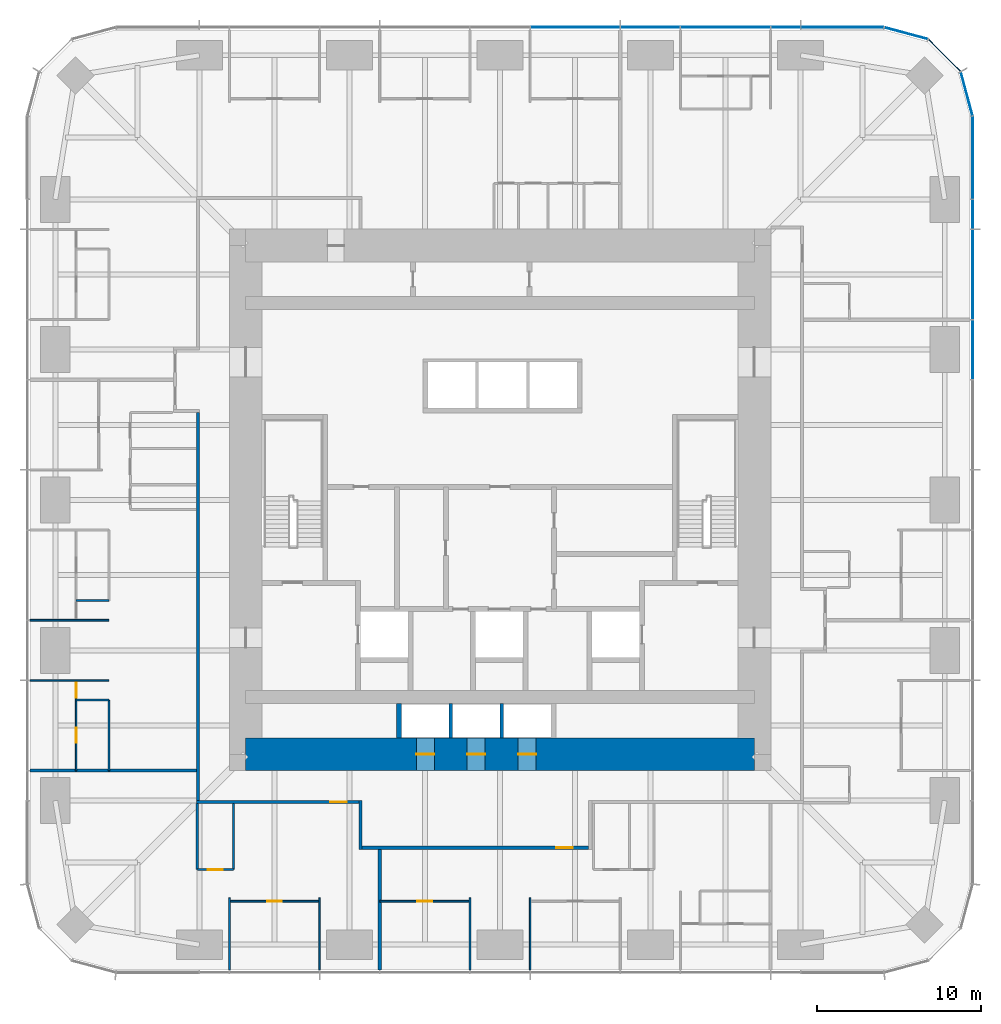
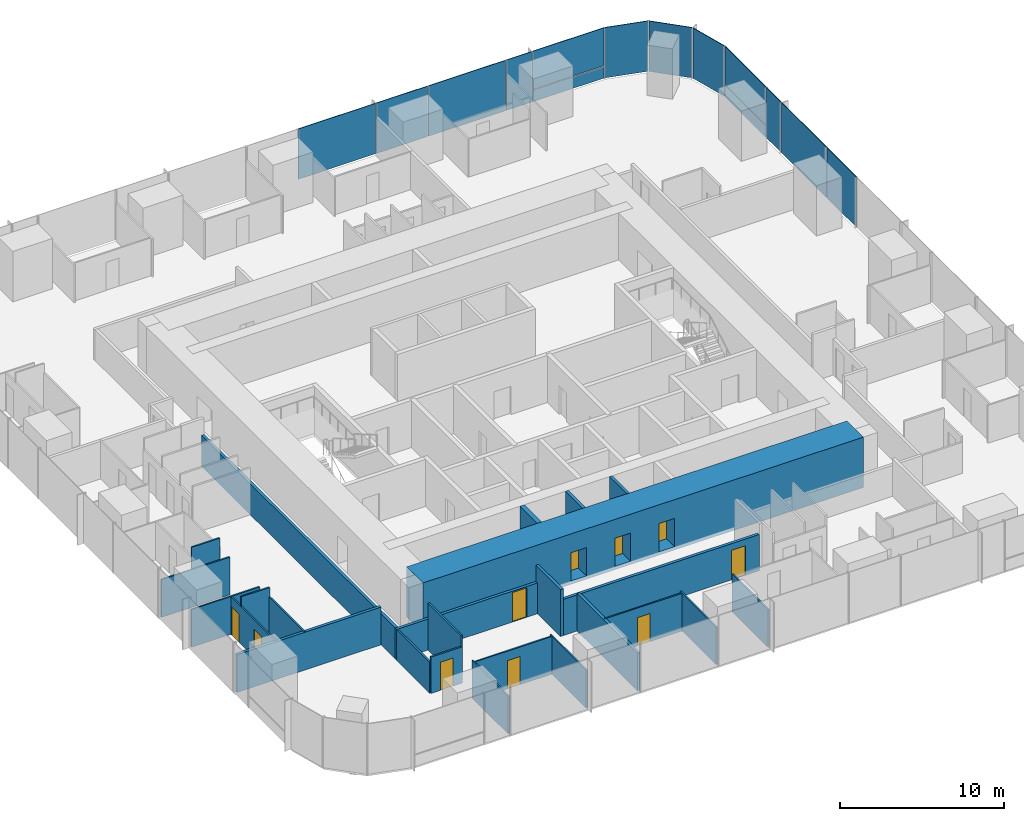
# One storey, part 8 of 13: 25 walls, 14 plates, 10 doors, 10 openings, 3 elements without a shape of their own.
"""IFC4 building model written with IfcOpenShell, lengths in metres."""

from ifc_helpers import new_model, si_unit, direction, frame, frame_2d, origin, origin_2d, place, context, subcontext, project, spatial, rectangle, extrude, material, layer, layer_set, type_object, element, fill, aggregate, save


model = new_model("IFC4")

# Units and contexts
model_context = context("Model", 3, precision=1e-05, world=origin(), true_north=direction((0.0, 1.0)))
body_context = subcontext(model_context, "Body", "Model", "MODEL_VIEW")
ifc_project = project(units=[si_unit("LENGTHUNIT", "METRE"), si_unit("AREAUNIT", "SQUARE_METRE"), si_unit("VOLUMEUNIT", "CUBIC_METRE"), si_unit("PLANEANGLEUNIT", "RADIAN"), si_unit("MASSUNIT", "GRAM", prefix="KILO")], contexts=[model_context])

# Site, building, storey
site_placement = place(None, origin())
site = spatial("IfcSite", under=ifc_project, at=site_placement, CompositionType="ELEMENT")
building_placement = place(site_placement, origin())
building = spatial("IfcBuilding", under=site, at=building_placement, Name="Khuree Lantern Residences", CompositionType="ELEMENT")
storey_placement = place(building_placement, frame((0.0, 0.0, 144.75)))
storey = spatial("IfcBuildingStorey", under=building, at=storey_placement, Name="L36", CompositionType="ELEMENT", Elevation=144.75)

# Curtain wall, plates
ifc_material_1 = material(Name="Bronze anodised aluminium", Category="aluminium")
curtain_wall_type_1 = type_object("IfcCurtainWallType", Name="CW-T2 TOWER CORNER CURTAIN WALL", PredefinedType="USERDEFINED", material=ifc_material_1)
curtain_wall_1_placement = place(storey_placement, origin())
curtain_wall_1 = element("IfcCurtainWall", 1, at=curtain_wall_1_placement, inside=storey, type_object=curtain_wall_type_1, Name="L36 NORTH-EAST CORNER CURTAIN WALL", ObjectType="Faceted corner curtain wall", PredefinedType="USERDEFINED")
ifc_material_2 = material(Name="Bronze tinted triple glazing", Category="glass")
ifc_layer_1 = layer(ifc_material_2, 0.048095703125)
ifc_layer_set_1 = layer_set([ifc_layer_1], Name="FACET PANEL P4")
plate_type_1 = type_object("IfcPlateType", Name="FACET PANEL P4", PredefinedType="CURTAIN_PANEL", material=ifc_layer_set_1)
plate_1_placement = place(storey_placement, frame((28.438720703125, 24.748046875, 0.0), z_axis=(0.0, 0.0, 1.0), x_axis=(-0.258819105321, 0.965925810153, 0.0)))
plate_1 = element("IfcPlate", 2, at=plate_1_placement, type_object=plate_type_1, Name="L36 NORTH-EAST CORNER PANEL 15.1", PredefinedType="CURTAIN_PANEL", context=body_context, shape_type="SweptSolid", body=[
    extrude(rectangle(XDim=2.71923828125, YDim=0.048095703125, at=origin_2d()), origin(), (0.0, 0.0, 1.0), 3.75),
])
plate_2_placement = place(storey_placement, frame((27.08837890625, 27.08837890625, 0.0), z_axis=(0.0, 0.0, 1.0), x_axis=(-0.707106781187, 0.707106781187, 0.0)))
plate_2 = element("IfcPlate", 3, at=plate_2_placement, type_object=plate_type_1, Name="L36 NORTH-EAST CORNER PANEL 16.1", PredefinedType="CURTAIN_PANEL", context=body_context, shape_type="SweptSolid", body=[
    extrude(rectangle(XDim=2.715087890625, YDim=0.048095703125, at=origin_2d()), origin(), (0.0, 0.0, 1.0), 3.75),
])
plate_3_placement = place(storey_placement, frame((24.748046875, 28.438720703125, 0.0), z_axis=(0.0, 0.0, 1.0), x_axis=(-0.965925810153, 0.258819105321, 0.0)))
plate_3 = element("IfcPlate", 4, at=plate_3_placement, type_object=plate_type_1, Name="L36 NORTH-EAST CORNER PANEL 17.1", PredefinedType="CURTAIN_PANEL", context=body_context, shape_type="SweptSolid", body=[
    extrude(rectangle(XDim=2.71923828125, YDim=0.048095703125, at=origin_2d()), origin(), (0.0, 0.0, 1.0), 3.75),
])
aggregate(curtain_wall_1, [plate_1, plate_2, plate_3])

# Curtain wall, plate
curtain_wall_type_2 = type_object("IfcCurtainWallType", Name="CW-T1 TOWER FACE CURTAIN WALL", PredefinedType="USERDEFINED", material=ifc_material_1)
curtain_wall_2_placement = place(storey_placement, origin())
curtain_wall_2 = element("IfcCurtainWall", 5, at=curtain_wall_2_placement, inside=storey, type_object=curtain_wall_type_2, Name="L36 EAST FACE CURTAIN WALL", ObjectType="Stick-built curtain wall", PredefinedType="USERDEFINED")
ifc_material_3 = material(Name="Bronze tinted triple glazing with a ceramic-fritted spandrel band", Category="glass")
ifc_layer_2 = layer(ifc_material_3, 0.048095703125)
ifc_layer_set_2 = layer_set([ifc_layer_2], Name="FIXED LIGHT PANEL P11")
plate_type_2 = type_object("IfcPlateType", Name="FIXED LIGHT PANEL P11", PredefinedType="CURTAIN_PANEL", material=ifc_layer_set_2)
plate_4_placement = place(storey_placement, frame((28.800048828125, 13.739990234375, 0.0), z_axis=(0.0, 0.0, 1.0), x_axis=(0.0, 1.0, 0.0)))
plate_4 = element("IfcPlate", 6, at=plate_4_placement, type_object=plate_type_2, Name="L36 EAST FACE PANEL 12.1", PredefinedType="CURTAIN_PANEL", context=body_context, shape_type="SweptSolid", body=[
    extrude(rectangle(XDim=5.430908203125, YDim=0.048095703125, at=origin_2d()), origin(), (0.0, 0.0, 1.0), 3.75),
])

# Curtain wall, plates
curtain_wall_3_placement = place(storey_placement, origin())
curtain_wall_3 = element("IfcCurtainWall", 7, at=curtain_wall_3_placement, inside=storey, type_object=curtain_wall_type_2, Name="L36 NORTH FACE CURTAIN WALL", ObjectType="Stick-built curtain wall", PredefinedType="USERDEFINED")
plate_5_placement = place(storey_placement, frame((13.739990234375, 28.800048828125, 0.0), z_axis=(0.0, 0.0, 1.0), x_axis=(-1.0, 0.0, 0.0)))
plate_5 = element("IfcPlate", 8, at=plate_5_placement, type_object=plate_type_2, Name="L36 NORTH FACE PANEL 20.1", PredefinedType="CURTAIN_PANEL", context=body_context, shape_type="SweptSolid", body=[
    extrude(rectangle(XDim=5.430908203125, YDim=0.048095703125, at=origin_2d()), origin(), (0.0, 0.0, 1.0), 3.75),
])
plate_6_placement = place(storey_placement, frame((4.580078125, 28.800048828125, 0.0), z_axis=(0.0, 0.0, 1.0), x_axis=(-1.0, 0.0, 0.0)))
plate_6 = element("IfcPlate", 9, at=plate_6_placement, type_object=plate_type_2, Name="L36 NORTH FACE PANEL 22.1", PredefinedType="CURTAIN_PANEL", context=body_context, shape_type="SweptSolid", body=[
    extrude(rectangle(XDim=5.430908203125, YDim=0.048095703125, at=origin_2d()), origin(), (0.0, 0.0, 1.0), 3.75),
])

# Plate
ifc_material_4 = material(Name="Bronze tinted triple glazing, two aluminium-framed sashes in one frame", Category="aluminium")
ifc_layer_3 = layer(ifc_material_4, 0.048095703125)
ifc_layer_set_3 = layer_set([ifc_layer_3], Name="SASH PAIR PANEL P12")
plate_type_3 = type_object("IfcPlateType", Name="SASH PAIR PANEL P12", PredefinedType="CURTAIN_PANEL", material=ifc_layer_set_3)
plate_7_placement = place(storey_placement, frame((28.800048828125, 9.159912109375, 0.0), z_axis=(0.0, 0.0, 1.0), x_axis=(0.0, 1.0, 0.0)))
plate_7 = element("IfcPlate", 10, at=plate_7_placement, type_object=plate_type_3, Name="L36 EAST FACE PANEL 11.1", PredefinedType="CURTAIN_PANEL", context=body_context, shape_type="SweptSolid", body=[
    extrude(rectangle(XDim=3.59912109375, YDim=0.048095703125, at=origin_2d()), origin(), (0.0, 0.0, 1.0), 3.75),
])

plate_8_placement = place(storey_placement, frame((9.159912109375, 28.800048828125, 0.0), z_axis=(0.0, 0.0, 1.0), x_axis=(-1.0, 0.0, 0.0)))
plate_8 = element("IfcPlate", 11, at=plate_8_placement, type_object=plate_type_3, Name="L36 NORTH FACE PANEL 21.1", PredefinedType="CURTAIN_PANEL", context=body_context, shape_type="SweptSolid", body=[
    extrude(rectangle(XDim=3.59912109375, YDim=0.048095703125, at=origin_2d()), origin(), (0.0, 0.0, 1.0), 3.75),
])

ifc_material_5 = material(Name="Bronze tinted triple glazing, aluminium-framed sash", Category="aluminium")
ifc_layer_4 = layer(ifc_material_5, 0.048095703125)
ifc_layer_set_4 = layer_set([ifc_layer_4], Name="SASH PANEL P3")
plate_type_4 = type_object("IfcPlateType", Name="SASH PANEL P3", PredefinedType="CURTAIN_PANEL", material=ifc_layer_set_4)
plate_9_placement = place(storey_placement, frame((28.800048828125, 17.404052734375, 0.0), z_axis=(0.0, 0.0, 1.0), x_axis=(0.0, 1.0, 0.0)))
plate_9 = element("IfcPlate", 12, at=plate_9_placement, type_object=plate_type_4, Name="L36 EAST FACE PANEL 13.1", PredefinedType="CURTAIN_PANEL", context=body_context, shape_type="SweptSolid", body=[
    extrude(rectangle(XDim=1.76708984375, YDim=0.048095703125, at=origin_2d()), origin(), (0.0, 0.0, 1.0), 3.75),
])

plate_10_placement = place(storey_placement, frame((17.404052734375, 28.800048828125, 0.0), z_axis=(0.0, 0.0, 1.0), x_axis=(-1.0, 0.0, 0.0)))
plate_10 = element("IfcPlate", 13, at=plate_10_placement, type_object=plate_type_4, Name="L36 NORTH FACE PANEL 19.1", PredefinedType="CURTAIN_PANEL", context=body_context, shape_type="SweptSolid", body=[
    extrude(rectangle(XDim=1.76708984375, YDim=0.048095703125, at=origin_2d()), origin(), (0.0, 0.0, 1.0), 3.75),
])

ifc_material_6 = material(Name="Bronze anodised aluminium insulated spandrel", Category="aluminium")
ifc_layer_5 = layer(ifc_material_6, 0.06005859375)
ifc_layer_set_5 = layer_set([ifc_layer_5], Name="SPANDREL PANEL P2")
plate_type_5 = type_object("IfcPlateType", Name="SPANDREL PANEL P2", PredefinedType="CURTAIN_PANEL", material=ifc_layer_set_5)
plate_11_placement = place(storey_placement, frame((28.800048828125, 20.85791015625, 0.0), z_axis=(0.0, 0.0, 1.0), x_axis=(0.0, 1.0, 0.0)))
plate_11 = element("IfcPlate", 14, at=plate_11_placement, type_object=plate_type_5, Name="L36 EAST FACE PANEL 14.1", PredefinedType="CURTAIN_PANEL", context=body_context, shape_type="SweptSolid", body=[
    extrude(rectangle(XDim=5.0107421875, YDim=0.06005859375, at=origin_2d()), origin(), (0.0, 0.0, 1.0), 0.867431640625),
])

plate_12_placement = place(storey_placement, frame((20.85791015625, 28.800048828125, 0.0), z_axis=(0.0, 0.0, 1.0), x_axis=(-1.0, 0.0, 0.0)))
plate_12 = element("IfcPlate", 15, at=plate_12_placement, type_object=plate_type_5, Name="L36 NORTH FACE PANEL 18.1", PredefinedType="CURTAIN_PANEL", context=body_context, shape_type="SweptSolid", body=[
    extrude(rectangle(XDim=5.0107421875, YDim=0.06005859375, at=origin_2d()), origin(), (0.0, 0.0, 1.0), 0.867431640625),
])

ifc_layer_6 = layer(ifc_material_2, 0.048095703125)
ifc_layer_set_6 = layer_set([ifc_layer_6], Name="VISION PANEL P1")
plate_type_6 = type_object("IfcPlateType", Name="VISION PANEL P1", PredefinedType="CURTAIN_PANEL", material=ifc_layer_set_6)
plate_13_placement = place(storey_placement, frame((28.800048828125, 20.8583984375, 0.9326171875), z_axis=(0.0, 0.0, 1.0), x_axis=(0.0, 1.0, 0.0)))
plate_13 = element("IfcPlate", 16, at=plate_13_placement, type_object=plate_type_6, Name="L36 EAST FACE PANEL 14.2", PredefinedType="CURTAIN_PANEL", context=body_context, shape_type="SweptSolid", body=[
    extrude(rectangle(XDim=5.011474609375, YDim=0.048095703125, at=origin_2d()), origin(), (0.0, 0.0, 1.0), 2.8173828125),
])

aggregate(curtain_wall_2, [plate_7, plate_4, plate_9, plate_11, plate_13])

plate_14_placement = place(storey_placement, frame((20.8583984375, 28.800048828125, 0.9326171875), z_axis=(0.0, 0.0, 1.0), x_axis=(-1.0, 0.0, 0.0)))
plate_14 = element("IfcPlate", 17, at=plate_14_placement, type_object=plate_type_6, Name="L36 NORTH FACE PANEL 18.2", PredefinedType="CURTAIN_PANEL", context=body_context, shape_type="SweptSolid", body=[
    extrude(rectangle(XDim=5.011474609375, YDim=0.048095703125, at=origin_2d()), origin(), (0.0, 0.0, 1.0), 2.8173828125),
])

aggregate(curtain_wall_3, [plate_12, plate_14, plate_10, plate_5, plate_8, plate_6])

# Wall, opening, door
ifc_material_7 = material(Name="Moisture-resistant gypsum board on steel studs", Category="steel")
ifc_layer_7 = layer(ifc_material_7, 0.125)
ifc_layer_set_7 = layer_set([ifc_layer_7], Name="BATHROOM WALL BTW125")
wall_type_1 = type_object("IfcWallType", Name="BATHROOM WALL BTW125", PredefinedType="PARTITIONING", material=ifc_layer_set_7)
wall_1_placement = place(storey_placement, frame((-18.449951171875, -22.52978515625, 0.0), z_axis=(0.0, 0.0, 1.0), x_axis=(1.0, 0.0, 0.0)))
wall_1 = element("IfcWall", 18, at=wall_1_placement, inside=storey, type_object=wall_type_1, Name="L36 BATHROOM WALL 05", PredefinedType="PARTITIONING", context=body_context, shape_type="SweptSolid", body=[
    extrude(rectangle(XDim=2.199951171875, YDim=0.125, at=frame_2d((1.10009765625, 0.0))), origin(), (0.0, 0.0, 1.0), 2.699951171875),
])
opening_1_placement = place(wall_1_placement, frame((0.64990234375, 0.0, 0.0)))
opening_1 = element("IfcOpeningElement", 19, at=opening_1_placement, cuts=wall_1, Name="Opening 36-050", PredefinedType="OPENING", context=body_context, shape_type="SweptSolid", body=[
    extrude(rectangle(XDim=0.89990234375, YDim=2.10009765625, at=frame_2d((0.449951171875, 1.050048828125))), frame((0.0, 0.072509765625, 0.0), z_axis=(0.0, -1.0, 0.0), x_axis=(1.0, 0.0, 0.0)), (0.0, 0.0, 1.0), 0.14501953125),
])
ifc_material_8 = material(Name="Timber door leaf in hardwood frame", Category="wood")
door_type_1 = type_object("IfcDoorType", Name="BATHROOM DOOR 900X2100", OperationType="SINGLE_SWING_LEFT", PredefinedType="DOOR", material=ifc_material_8)
door_1_placement = place(opening_1_placement, origin())
door_1 = element("IfcDoor", 20, at=door_1_placement, inside=storey, type_object=door_type_1, Name="Bathroom door 36-050", OperationType="SINGLE_SWING_LEFT", OverallHeight=2.10009765625, OverallWidth=0.89990234375, PredefinedType="DOOR", context=body_context, shape_type="SweptSolid", body=[
    extrude(rectangle(XDim=0.89990234375, YDim=2.10009765625, at=frame_2d((0.449951171875, 1.050048828125))), frame((0.0, 0.02490234375, 0.0), z_axis=(0.0, -1.0, 0.0), x_axis=(1.0, 0.0, 0.0)), (0.0, 0.0, 1.0), 0.050048828125),
])
fill(opening_1, door_1)

# Walls
wall_2_placement = place(storey_placement, frame((-18.449951171875, -18.5, 0.0), z_axis=(0.0, 0.0, 1.0), x_axis=(0.0, -1.0, 0.0)))
element("IfcWall", 21, at=wall_2_placement, inside=storey, type_object=wall_type_1, Name="L36 BATHROOM WALL 05", PredefinedType="PARTITIONING", context=body_context, shape_type="SweptSolid", body=[
    extrude(rectangle(XDim=4.02978515625, YDim=0.125, at=frame_2d((2.014892578125, 0.0))), origin(), (0.0, 0.0, 1.0), 2.300048828125),
])
wall_3_placement = place(storey_placement, frame((-16.25, -18.5, 0.0), z_axis=(0.0, 0.0, 1.0), x_axis=(0.0, -1.0, 0.0)))
element("IfcWall", 22, at=wall_3_placement, inside=storey, type_object=wall_type_1, Name="L36 BATHROOM WALL 05", PredefinedType="PARTITIONING", context=body_context, shape_type="SweptSolid", body=[
    extrude(rectangle(XDim=4.02978515625, YDim=0.125, at=frame_2d((2.014892578125, 0.0))), origin(), (0.0, 0.0, 1.0), 3.5),
])
ifc_material_9 = material(Name="Dense concrete blockwork", Category="masonry")
ifc_layer_8 = layer(ifc_material_9, 0.300048828125)
ifc_layer_set_8 = layer_set([ifc_layer_8], Name="CORE PARTITION WALL CPW300 EI 120")
wall_type_2 = type_object("IfcWallType", Name="CORE PARTITION WALL CPW300 EI 120", PredefinedType="PARTITIONING", material=ifc_layer_set_8)
wall_4_placement = place(storey_placement, frame((-6.14990234375, -14.5, 0.0), z_axis=(0.0, 0.0, 1.0), x_axis=(0.0, 1.0, 0.0)))
element("IfcWall", 23, at=wall_4_placement, inside=storey, type_object=wall_type_2, Name="L36 CORE WALL PMW", PredefinedType="PARTITIONING", context=body_context, shape_type="SweptSolid", body=[
    extrude(rectangle(XDim=2.10009765625, YDim=0.300048828125, at=frame_2d((1.050048828125, 0.0))), origin(), (0.0, 0.0, 1.0), 3.5),
])
ifc_material_10 = material(Name="Gypsum board on steel studs", Category="steel")
ifc_layer_9 = layer(ifc_material_10, 0.199951171875)
ifc_layer_set_9 = layer_set([ifc_layer_9], Name="CORRIDOR WALL CRW200 EI 60")
wall_type_3 = type_object("IfcWallType", Name="CORRIDOR WALL CRW200 EI 60", PredefinedType="PARTITIONING", material=ifc_layer_set_9)
wall_5_placement = place(storey_placement, frame((-18.39990234375, 5.327880859375, 0.0), z_axis=(0.0, 0.0, 1.0), x_axis=(0.0, -1.0, 0.0)))
element("IfcWall", 24, at=wall_5_placement, inside=storey, type_object=wall_type_3, Name="L36 CORRIDOR WALL WEST 2", PredefinedType="PARTITIONING", context=body_context, shape_type="SweptSolid", body=[
    extrude(rectangle(XDim=23.6279296875, YDim=0.199951171875, at=frame_2d((11.81396484375, 0.0))), origin(), (0.0, 0.0, 1.0), 2.300048828125),
])
wall_6_placement = place(storey_placement, frame((-8.5, -18.300048828125, 0.0), z_axis=(0.0, 0.0, 1.0), x_axis=(0.0, -1.0, 0.0)))
element("IfcWall", 25, at=wall_6_placement, inside=storey, type_object=wall_type_3, Name="L36 LIFT LOBBY WALL", PredefinedType="PARTITIONING", context=body_context, shape_type="SweptSolid", body=[
    extrude(rectangle(XDim=3.0, YDim=0.199951171875, at=frame_2d((1.5, 0.0))), origin(), (0.0, 0.0, 1.0), 3.5),
])

# Wall, opening, door
wall_7_placement = place(storey_placement, frame((5.39990234375, -21.199951171875, 0.0), z_axis=(0.0, 0.0, 1.0), x_axis=(-1.0, 0.0, 0.0)))
wall_7 = element("IfcWall", 26, at=wall_7_placement, inside=storey, type_object=wall_type_3, Name="L36 LIFT LOBBY WALL", PredefinedType="PARTITIONING", context=body_context, shape_type="SweptSolid", body=[
    extrude(rectangle(XDim=13.7998046875, YDim=0.199951171875, at=frame_2d((6.89990234375, 0.0))), origin(), (0.0, 0.0, 1.0), 2.699951171875),
])
opening_2_placement = place(wall_7_placement, frame((0.9580078125, 0.0, 0.0)))
opening_2 = element("IfcOpeningElement", 27, at=opening_2_placement, cuts=wall_7, Name="Opening 36-058", PredefinedType="OPENING", context=body_context, shape_type="SweptSolid", body=[
    extrude(rectangle(XDim=1.0, YDim=2.199951171875, at=frame_2d((0.5, 1.10009765625))), frame((0.0, 0.10986328125, 0.0), z_axis=(0.0, -1.0, 0.0), x_axis=(1.0, 0.0, 0.0)), (0.0, 0.0, 1.0), 0.219970703125),
])
door_type_2 = type_object("IfcDoorType", Name="APARTMENT ENTRANCE DOOR 1000X2200 EI 30S", OperationType="SINGLE_SWING_LEFT", PredefinedType="DOOR", material=ifc_material_8)
door_2_placement = place(opening_2_placement, origin())
door_2 = element("IfcDoor", 28, at=door_2_placement, inside=storey, type_object=door_type_2, Name="Apartment 06 entrance door 36-058", OperationType="SINGLE_SWING_LEFT", OverallHeight=2.199951171875, OverallWidth=1.0, PredefinedType="DOOR", context=body_context, shape_type="SweptSolid", body=[
    extrude(rectangle(XDim=1.0, YDim=2.199951171875, at=frame_2d((0.5, 1.10009765625))), frame((0.0, 0.02490234375, 0.0), z_axis=(0.0, -1.0, 0.0), x_axis=(1.0, 0.0, 0.0)), (0.0, 0.0, 1.0), 0.050048828125),
])
fill(opening_2, door_2)

wall_8_placement = place(storey_placement, frame((-8.60009765625, -18.39990234375, 0.0), z_axis=(0.0, 0.0, 1.0), x_axis=(-1.0, 0.0, 0.0)))
wall_8 = element("IfcWall", 29, at=wall_8_placement, inside=storey, type_object=wall_type_3, Name="L36 CORRIDOR WALL SOUTH 2", PredefinedType="PARTITIONING", context=body_context, shape_type="SweptSolid", body=[
    extrude(rectangle(XDim=9.89990234375, YDim=0.199951171875, at=frame_2d((4.949951171875, 0.0))), origin(), (0.0, 0.0, 1.0), 2.300048828125),
])
opening_3_placement = place(wall_8_placement, frame((0.75, 0.0, 0.0)))
opening_3 = element("IfcOpeningElement", 30, at=opening_3_placement, cuts=wall_8, Name="Opening 36-051", PredefinedType="OPENING", context=body_context, shape_type="SweptSolid", body=[
    extrude(rectangle(XDim=1.0, YDim=2.199951171875, at=frame_2d((0.5, 1.10009765625))), frame((0.0, 0.10986328125, 0.0), z_axis=(0.0, -1.0, 0.0), x_axis=(1.0, 0.0, 0.0)), (0.0, 0.0, 1.0), 0.219970703125),
])
door_3_placement = place(opening_3_placement, origin())
door_3 = element("IfcDoor", 31, at=door_3_placement, inside=storey, type_object=door_type_2, Name="Apartment 05 entrance door 36-051", OperationType="SINGLE_SWING_LEFT", OverallHeight=2.199951171875, OverallWidth=1.0, PredefinedType="DOOR", context=body_context, shape_type="SweptSolid", body=[
    extrude(rectangle(XDim=1.0, YDim=2.199951171875, at=frame_2d((0.5, 1.10009765625))), frame((0.0, 0.02490234375, 0.0), z_axis=(0.0, -1.0, 0.0), x_axis=(1.0, 0.0, 0.0)), (0.0, 0.0, 1.0), 0.050048828125),
])
fill(opening_3, door_3)

# Wall, openings, doors
ifc_material_11 = material(Name="Concrete C70/85", Category="concrete")
ifc_layer_10 = layer(ifc_material_11, 2.0)
ifc_layer_set_10 = layer_set([ifc_layer_10], Name="CW2000-C70 CORE WALL C70 2000")
wall_type_4 = type_object("IfcWallType", Name="CW2000-C70 CORE WALL C70 2000", PredefinedType="SHEAR", material=ifc_layer_set_10)
wall_9_placement = place(storey_placement, frame((-15.5, -15.5, -0.25), z_axis=(0.0, 0.0, 1.0), x_axis=(1.0, 0.0, 0.0)))
wall_9 = element("IfcWall", 32, at=wall_9_placement, inside=storey, type_object=wall_type_4, Name="Core wall S", PredefinedType="SHEAR", context=body_context, shape_type="SweptSolid", body=[
    extrude(rectangle(XDim=31.0, YDim=2.0, at=frame_2d((15.5, 0.0))), origin(), (0.0, 0.0, 1.0), 3.75),
])
opening_4_placement = place(wall_9_placement, frame((10.39990234375, 0.0, 0.25)))
opening_4 = element("IfcOpeningElement", 33, at=opening_4_placement, cuts=wall_9, Name="Opening 36-009", PredefinedType="OPENING", context=body_context, shape_type="SweptSolid", body=[
    extrude(rectangle(XDim=1.10009765625, YDim=2.10009765625, at=frame_2d((0.550048828125, 1.050048828125))), frame((0.0, 1.010009765625, 0.0), z_axis=(0.0, -1.0, 0.0), x_axis=(1.0, 0.0, 0.0)), (0.0, 0.0, 1.0), 2.02001953125),
])
opening_5_placement = place(wall_9_placement, frame((13.5, 0.0, 0.25)))
opening_5 = element("IfcOpeningElement", 34, at=opening_5_placement, cuts=wall_9, Name="Opening 36-010", PredefinedType="OPENING", context=body_context, shape_type="SweptSolid", body=[
    extrude(rectangle(XDim=1.10009765625, YDim=2.10009765625, at=frame_2d((0.550048828125, 1.050048828125))), frame((0.0, 1.010009765625, 0.0), z_axis=(0.0, -1.0, 0.0), x_axis=(1.0, 0.0, 0.0)), (0.0, 0.0, 1.0), 2.02001953125),
])
opening_6_placement = place(wall_9_placement, frame((16.60009765625, 0.0, 0.25)))
opening_6 = element("IfcOpeningElement", 35, at=opening_6_placement, cuts=wall_9, Name="Opening 36-011", PredefinedType="OPENING", context=body_context, shape_type="SweptSolid", body=[
    extrude(rectangle(XDim=1.10009765625, YDim=2.10009765625, at=frame_2d((0.550048828125, 1.050048828125))), frame((0.0, 1.010009765625, 0.0), z_axis=(0.0, -1.0, 0.0), x_axis=(1.0, 0.0, 0.0)), (0.0, 0.0, 1.0), 2.02001953125),
])
ifc_material_12 = material(Name="Stainless steel lift landing door", Category="steel")
door_type_3 = type_object("IfcDoorType", Name="LIFT LANDING DOOR 1100X2100 E 60", OperationType="DOUBLE_DOOR_SLIDING", PredefinedType="DOOR", material=ifc_material_12)
door_4_placement = place(opening_4_placement, origin())
door_4 = element("IfcDoor", 36, at=door_4_placement, inside=storey, type_object=door_type_3, Name="Landing door PM1 36-009", OperationType="DOUBLE_DOOR_SLIDING", OverallHeight=2.10009765625, OverallWidth=1.10009765625, PredefinedType="DOOR", context=body_context, shape_type="SweptSolid", body=[
    extrude(rectangle(XDim=1.10009765625, YDim=2.10009765625, at=frame_2d((0.550048828125, 1.050048828125))), frame((0.0, 0.02490234375, 0.0), z_axis=(0.0, -1.0, 0.0), x_axis=(1.0, 0.0, 0.0)), (0.0, 0.0, 1.0), 0.050048828125),
])
fill(opening_4, door_4)
door_5_placement = place(opening_5_placement, origin())
door_5 = element("IfcDoor", 37, at=door_5_placement, inside=storey, type_object=door_type_3, Name="Landing door PM2 36-010", OperationType="DOUBLE_DOOR_SLIDING", OverallHeight=2.10009765625, OverallWidth=1.10009765625, PredefinedType="DOOR", context=body_context, shape_type="SweptSolid", body=[
    extrude(rectangle(XDim=1.10009765625, YDim=2.10009765625, at=frame_2d((0.550048828125, 1.050048828125))), frame((0.0, 0.02490234375, 0.0), z_axis=(0.0, -1.0, 0.0), x_axis=(1.0, 0.0, 0.0)), (0.0, 0.0, 1.0), 0.050048828125),
])
fill(opening_5, door_5)
door_6_placement = place(opening_6_placement, origin())
door_6 = element("IfcDoor", 38, at=door_6_placement, inside=storey, type_object=door_type_3, Name="Landing door PM3 36-011", OperationType="DOUBLE_DOOR_SLIDING", OverallHeight=2.10009765625, OverallWidth=1.10009765625, PredefinedType="DOOR", context=body_context, shape_type="SweptSolid", body=[
    extrude(rectangle(XDim=1.10009765625, YDim=2.10009765625, at=frame_2d((0.550048828125, 1.050048828125))), frame((0.0, 0.02490234375, 0.0), z_axis=(0.0, -1.0, 0.0), x_axis=(1.0, 0.0, 0.0)), (0.0, 0.0, 1.0), 0.050048828125),
])
fill(opening_6, door_6)

# Walls
ifc_layer_11 = layer(ifc_material_10, 0.199951171875)
ifc_layer_set_11 = layer_set([ifc_layer_11], Name="DEMISING WALL DMW200 EI 90")
wall_type_5 = type_object("IfcWallType", Name="DEMISING WALL DMW200 EI 90", PredefinedType="PARTITIONING", material=ifc_layer_set_11)
wall_10_placement = place(storey_placement, frame((-18.5, -16.488037109375, 0.0), z_axis=(0.0, 0.0, 1.0), x_axis=(-1.0, 0.0, 0.0)))
element("IfcWall", 39, at=wall_10_placement, inside=storey, type_object=wall_type_5, Name="L36 DEMISING WALL 05", PredefinedType="PARTITIONING", context=body_context, shape_type="SweptSolid", body=[
    extrude(rectangle(XDim=10.14990234375, YDim=0.199951171875, at=frame_2d((5.074951171875, 0.0))), origin(), (0.0, 0.0, 1.0), 2.81005859375),
])
wall_11_placement = place(storey_placement, frame((-7.327880859375, -21.300048828125, 0.0), z_axis=(0.0, 0.0, 1.0), x_axis=(0.0, -1.0, 0.0)))
element("IfcWall", 40, at=wall_11_placement, inside=storey, type_object=wall_type_5, Name="L36 DEMISING WALL 06", PredefinedType="PARTITIONING", context=body_context, shape_type="SweptSolid", body=[
    extrude(rectangle(XDim=7.349853515625, YDim=0.199951171875, at=frame_2d((3.6748046875, 0.0))), origin(), (0.0, 0.0, 1.0), 2.81005859375),
])
ifc_layer_12 = layer(ifc_material_10, 0.10009765625)
ifc_layer_set_12 = layer_set([ifc_layer_12], Name="PARTITION PT100")
wall_type_6 = type_object("IfcWallType", Name="PARTITION PT100", PredefinedType="PARTITIONING", material=ifc_layer_set_12)
for number, where, z_axis, x_axis, name in (
    (41, (-23.829833984375, -7.327880859375, 0.0), (0.0, 0.0, 1.0), (-1.0, 0.0, 0.0), "L36 PARTITION 04"),
    (42, (-23.829833984375, -10.991943359375, 0.0), (0.0, 0.0, 1.0), (-1.0, 0.0, 0.0), "L36 PARTITION 04"),
):
    element("IfcWall", number, at=place(storey_placement, frame(where, z_axis=z_axis, x_axis=x_axis)), inside=storey, type_object=wall_type_6, Name=name, PredefinedType="PARTITIONING", context=body_context, shape_type="SweptSolid", body=[
        extrude(rectangle(XDim=4.820068359375, YDim=0.10009765625, at=frame_2d((2.41015625, 0.0))), origin(), (0.0, 0.0, 1.0), 2.81005859375),
    ])
for number, where, z_axis, x_axis, name in (
    (43, (-16.488037109375, -24.25, 0.0), (0.0, 0.0, 1.0), (0.0, -1.0, 0.0), "L36 PARTITION 05"),
    (44, (-10.991943359375, -24.25, 0.0), (0.0, 0.0, 1.0), (0.0, -1.0, 0.0), "L36 PARTITION 05"),
    (45, (-1.83203125, -24.25, 0.0), (0.0, 0.0, 1.0), (0.0, -1.0, 0.0), "L36 PARTITION 06"),
    (46, (1.83203125, -24.25, 0.0), (0.0, 0.0, 1.0), (0.0, -1.0, 0.0), "L36 PARTITION 06"),
):
    element("IfcWall", number, at=place(storey_placement, frame(where, z_axis=z_axis, x_axis=x_axis)), inside=storey, type_object=wall_type_6, Name=name, PredefinedType="PARTITIONING", context=body_context, shape_type="SweptSolid", body=[
        extrude(rectangle(XDim=4.39990234375, YDim=0.10009765625, at=frame_2d((2.199951171875, 0.0))), origin(), (0.0, 0.0, 1.0), 2.81005859375),
    ])
wall_12_placement = place(storey_placement, frame((-23.829833984375, -6.1279296875, 0.0), z_axis=(0.0, 0.0, 1.0), x_axis=(-1.0, 0.0, 0.0)))
element("IfcWall", 47, at=wall_12_placement, inside=storey, type_object=wall_type_6, Name="L36 PARTITION 04", PredefinedType="PARTITIONING", context=body_context, shape_type="SweptSolid", body=[
    extrude(rectangle(XDim=2.0, YDim=0.10009765625, at=frame_2d((1.0, 0.0))), origin(), (0.0, 0.0, 1.0), 3.5),
])

# Wall, openings, doors
wall_13_placement = place(storey_placement, frame((-25.829833984375, -10.991943359375, 0.0), z_axis=(0.0, 0.0, 1.0), x_axis=(0.0, -1.0, 0.0)))
wall_13 = element("IfcWall", 48, at=wall_13_placement, inside=storey, type_object=wall_type_6, Name="L36 PARTITION 04", PredefinedType="PARTITIONING", context=body_context, shape_type="SweptSolid", body=[
    extrude(rectangle(XDim=5.49609375, YDim=0.10009765625, at=frame_2d((2.748046875, 0.0))), origin(), (0.0, 0.0, 1.0), 2.81005859375),
])
opening_7_placement = place(wall_13_placement, frame((0.14990234375, 0.0, 0.0)))
opening_7 = element("IfcOpeningElement", 49, at=opening_7_placement, cuts=wall_13, Name="Opening 36-043", PredefinedType="OPENING", context=body_context, shape_type="SweptSolid", body=[
    extrude(rectangle(XDim=0.89990234375, YDim=2.10009765625, at=frame_2d((0.449951171875, 1.050048828125))), frame((0.0, 0.06005859375, 0.0), z_axis=(0.0, -1.0, 0.0), x_axis=(1.0, 0.0, 0.0)), (0.0, 0.0, 1.0), 0.1201171875),
])
opening_8_placement = place(wall_13_placement, frame((2.89794921875, 0.0, 0.0)))
opening_8 = element("IfcOpeningElement", 50, at=opening_8_placement, cuts=wall_13, Name="Opening 36-044", PredefinedType="OPENING", context=body_context, shape_type="SweptSolid", body=[
    extrude(rectangle(XDim=0.89990234375, YDim=2.10009765625, at=frame_2d((0.449951171875, 1.050048828125))), frame((0.0, 0.06005859375, 0.0), z_axis=(0.0, -1.0, 0.0), x_axis=(1.0, 0.0, 0.0)), (0.0, 0.0, 1.0), 0.1201171875),
])
door_type_4 = type_object("IfcDoorType", Name="BEDROOM DOOR 900X2100", OperationType="SINGLE_SWING_LEFT", PredefinedType="DOOR", material=ifc_material_8)
door_7_placement = place(opening_7_placement, origin())
door_7 = element("IfcDoor", 51, at=door_7_placement, inside=storey, type_object=door_type_4, Name="Bedroom door 36-043", OperationType="SINGLE_SWING_LEFT", OverallHeight=2.10009765625, OverallWidth=0.89990234375, PredefinedType="DOOR", context=body_context, shape_type="SweptSolid", body=[
    extrude(rectangle(XDim=0.89990234375, YDim=2.10009765625, at=frame_2d((0.449951171875, 1.050048828125))), frame((0.0, 0.02490234375, 0.0), z_axis=(0.0, -1.0, 0.0), x_axis=(1.0, 0.0, 0.0)), (0.0, 0.0, 1.0), 0.050048828125),
])
fill(opening_7, door_7)
door_type_5 = type_object("IfcDoorType", Name="DOOR 900X2100 RIGHT HAND", OperationType="SINGLE_SWING_RIGHT", PredefinedType="DOOR", material=ifc_material_8)
door_8_placement = place(opening_8_placement, origin())
door_8 = element("IfcDoor", 52, at=door_8_placement, inside=storey, type_object=door_type_5, Name="Wardrobe door 36-044", OperationType="SINGLE_SWING_RIGHT", OverallHeight=2.10009765625, OverallWidth=0.89990234375, PredefinedType="DOOR", context=body_context, shape_type="SweptSolid", body=[
    extrude(rectangle(XDim=0.89990234375, YDim=2.10009765625, at=frame_2d((0.449951171875, 1.050048828125))), frame((0.0, 0.02490234375, 0.0), z_axis=(0.0, -1.0, 0.0), x_axis=(1.0, 0.0, 0.0)), (0.0, 0.0, 1.0), 0.050048828125),
])
fill(opening_8, door_8)

# Walls
wall_14_placement = place(storey_placement, frame((-23.829833984375, -12.19189453125, 0.0), z_axis=(0.0, 0.0, 1.0), x_axis=(-1.0, 0.0, 0.0)))
element("IfcWall", 53, at=wall_14_placement, inside=storey, type_object=wall_type_6, Name="L36 PARTITION 04", PredefinedType="PARTITIONING", context=body_context, shape_type="SweptSolid", body=[
    extrude(rectangle(XDim=2.0, YDim=0.10009765625, at=frame_2d((1.0, 0.0))), origin(), (0.0, 0.0, 1.0), 3.5),
])
wall_15_placement = place(storey_placement, frame((-23.829833984375, -12.19189453125, 0.0), z_axis=(0.0, 0.0, 1.0), x_axis=(0.0, -1.0, 0.0)))
element("IfcWall", 54, at=wall_15_placement, inside=storey, type_object=wall_type_6, Name="L36 PARTITION 04", PredefinedType="PARTITIONING", context=body_context, shape_type="SweptSolid", body=[
    extrude(rectangle(XDim=4.296142578125, YDim=0.10009765625, at=frame_2d((2.14794921875, 0.0))), origin(), (0.0, 0.0, 1.0), 2.81005859375),
])

# Wall, opening, door
wall_16_placement = place(storey_placement, frame((-16.488037109375, -24.449951171875, 0.0), z_axis=(0.0, 0.0, 1.0), x_axis=(1.0, 0.0, 0.0)))
wall_16 = element("IfcWall", 55, at=wall_16_placement, inside=storey, type_object=wall_type_6, Name="L36 PARTITION 05", PredefinedType="PARTITIONING", context=body_context, shape_type="SweptSolid", body=[
    extrude(rectangle(XDim=5.49609375, YDim=0.10009765625, at=frame_2d((2.748046875, 0.0))), origin(), (0.0, 0.0, 1.0), 2.81005859375),
])
opening_9_placement = place(wall_16_placement, frame((2.298095703125, 0.0, 0.0)))
opening_9 = element("IfcOpeningElement", 56, at=opening_9_placement, cuts=wall_16, Name="Opening 36-049", PredefinedType="OPENING", context=body_context, shape_type="SweptSolid", body=[
    extrude(rectangle(XDim=0.89990234375, YDim=2.10009765625, at=frame_2d((0.449951171875, 1.050048828125))), frame((0.0, 0.06005859375, 0.0), z_axis=(0.0, -1.0, 0.0), x_axis=(1.0, 0.0, 0.0)), (0.0, 0.0, 1.0), 0.1201171875),
])
door_9_placement = place(opening_9_placement, origin())
door_9 = element("IfcDoor", 57, at=door_9_placement, inside=storey, type_object=door_type_4, Name="Bedroom door 36-049", OperationType="SINGLE_SWING_LEFT", OverallHeight=2.10009765625, OverallWidth=0.89990234375, PredefinedType="DOOR", context=body_context, shape_type="SweptSolid", body=[
    extrude(rectangle(XDim=0.89990234375, YDim=2.10009765625, at=frame_2d((0.449951171875, 1.050048828125))), frame((0.0, 0.02490234375, 0.0), z_axis=(0.0, -1.0, 0.0), x_axis=(1.0, 0.0, 0.0)), (0.0, 0.0, 1.0), 0.050048828125),
])
fill(opening_9, door_9)

wall_17_placement = place(storey_placement, frame((-7.327880859375, -24.449951171875, 0.0), z_axis=(0.0, 0.0, 1.0), x_axis=(1.0, 0.0, 0.0)))
wall_17 = element("IfcWall", 58, at=wall_17_placement, inside=storey, type_object=wall_type_6, Name="L36 PARTITION 06", PredefinedType="PARTITIONING", context=body_context, shape_type="SweptSolid", body=[
    extrude(rectangle(XDim=5.495849609375, YDim=0.10009765625, at=frame_2d((2.748046875, 0.0))), origin(), (0.0, 0.0, 1.0), 2.81005859375),
])
opening_10_placement = place(wall_17_placement, frame((2.298095703125, 0.0, 0.0)))
opening_10 = element("IfcOpeningElement", 59, at=opening_10_placement, cuts=wall_17, Name="Opening 36-052", PredefinedType="OPENING", context=body_context, shape_type="SweptSolid", body=[
    extrude(rectangle(XDim=0.89990234375, YDim=2.10009765625, at=frame_2d((0.449951171875, 1.050048828125))), frame((0.0, 0.06005859375, 0.0), z_axis=(0.0, -1.0, 0.0), x_axis=(1.0, 0.0, 0.0)), (0.0, 0.0, 1.0), 0.1201171875),
])
door_10_placement = place(opening_10_placement, origin())
door_10 = element("IfcDoor", 60, at=door_10_placement, inside=storey, type_object=door_type_4, Name="Bedroom door 36-052", OperationType="SINGLE_SWING_LEFT", OverallHeight=2.10009765625, OverallWidth=0.89990234375, PredefinedType="DOOR", context=body_context, shape_type="SweptSolid", body=[
    extrude(rectangle(XDim=0.89990234375, YDim=2.10009765625, at=frame_2d((0.449951171875, 1.050048828125))), frame((0.0, 0.02490234375, 0.0), z_axis=(0.0, -1.0, 0.0), x_axis=(1.0, 0.0, 0.0)), (0.0, 0.0, 1.0), 0.050048828125),
])
fill(opening_10, door_10)

# Walls
ifc_layer_13 = layer(ifc_material_9, 0.199951171875)
ifc_layer_set_13 = layer_set([ifc_layer_13], Name="SHAFT WALL SHW200 EI 120")
wall_type_7 = type_object("IfcWallType", Name="SHAFT WALL SHW200 EI 120", PredefinedType="PARTITIONING", material=ifc_layer_set_13)
for number, where, z_axis, x_axis, name in (
    (61, (-3.0, -14.5, 0.0), (0.0, 0.0, 1.0), (0.0, 1.0, 0.0), "L36 CORE WALL PMD1"),
    (62, (0.10009765625, -14.5, 0.0), (0.0, 0.0, 1.0), (0.0, 1.0, 0.0), "L36 CORE WALL PMD2"),
):
    element("IfcWall", number, at=place(storey_placement, frame(where, z_axis=z_axis, x_axis=x_axis)), inside=storey, type_object=wall_type_7, Name=name, PredefinedType="PARTITIONING", context=body_context, shape_type="SweptSolid", body=[
        extrude(rectangle(XDim=2.10009765625, YDim=0.199951171875, at=frame_2d((1.050048828125, 0.0))), origin(), (0.0, 0.0, 1.0), 3.5),
    ])

save(model, "model.ifc")
